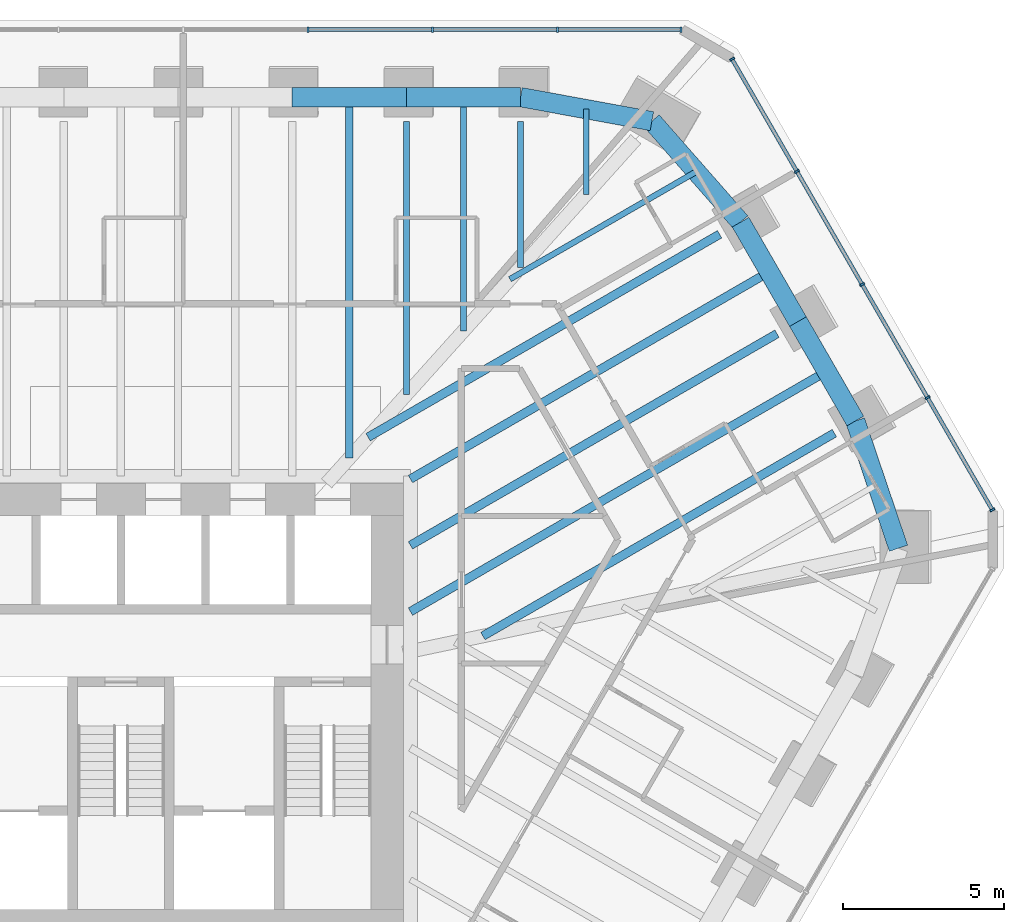
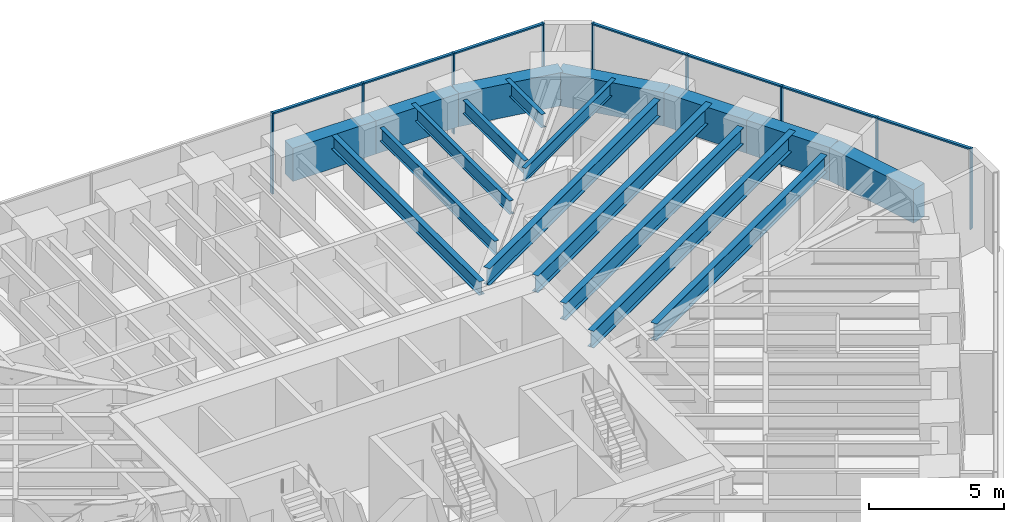
# One storey, part 9 of 16: 18 beams, 16 members, 2 elements without a shape of their own.
"""IFC4 building model written with IfcOpenShell, lengths in metres."""

from ifc_helpers import new_model, si_unit, direction, frame, origin, origin_2d, place, context, subcontext, project, spatial, rectangle, i_section, extrude, material, material_profile, profile_set, type_object, element, aggregate, save


model = new_model("IFC4")

# Units and contexts
model_context = context("Model", 3, precision=1e-05, world=origin(), true_north=direction((0.0, 1.0)))
body_context = subcontext(model_context, "Body", "Model", "MODEL_VIEW")
ifc_project = project(units=[si_unit("LENGTHUNIT", "METRE"), si_unit("AREAUNIT", "SQUARE_METRE"), si_unit("VOLUMEUNIT", "CUBIC_METRE"), si_unit("PLANEANGLEUNIT", "RADIAN"), si_unit("MASSUNIT", "GRAM", prefix="KILO")], contexts=[model_context])

# Site, building, storey
site_placement = place(None, origin())
site = spatial("IfcSite", under=ifc_project, at=site_placement, CompositionType="ELEMENT")
building_placement = place(site_placement, origin())
building = spatial("IfcBuilding", under=site, at=building_placement, Name="Sandreach Pilgrim Tower", CompositionType="ELEMENT")
storey_placement = place(building_placement, frame((0.0, 0.0, 244.0)))
storey = spatial("IfcBuildingStorey", under=building, at=storey_placement, Name="L61", CompositionType="ELEMENT", Elevation=244.0)

# Curtain wall, members
ifc_material_1 = material(Name="Aluminium framed curtain wall", Category="aluminium")
curtain_wall_type = type_object("IfcCurtainWallType", Name="Upper hotel tower curtain wall", PredefinedType="NOTDEFINED", material=ifc_material_1)
curtain_wall_1_placement = place(storey_placement, origin())
curtain_wall_1 = element("IfcCurtainWall", 1, at=curtain_wall_1_placement, inside=storey, type_object=curtain_wall_type, Name="CW-3 L61 N", PredefinedType="NOTDEFINED")
ifc_material_2 = material(Name="Aluminium extrusion", Category="aluminium")
ifc_material_profile_1 = material_profile(ifc_material_2, rectangle(XDim=0.06494140625, YDim=0.159912109375, at=origin_2d()), Name="CW-3M 65X160")
ifc_profile_set_1 = profile_set([ifc_material_profile_1], Name="Aluminium extrusion")
member_type_1 = type_object("IfcMemberType", Name="CW-3 mullion", PredefinedType="MULLION", material=ifc_profile_set_1)
member_1_placement = place(storey_placement, frame((5.796630859375, 21.16015625, 0.0), z_axis=(0.0, 0.0, 1.0), x_axis=(1.0, 0.0, 0.0)))
member_1 = element("IfcMember", 2, at=member_1_placement, type_object=member_type_1, Name="CW-3 mullion 7", PredefinedType="MULLION", context=body_context, shape_type="SweptSolid", body=[
    extrude(rectangle(XDim=0.06494140625, YDim=0.159912109375, at=origin_2d()), origin(), (0.0, 0.0, 1.0), 3.639892578125),
])
member_2_placement = place(storey_placement, frame((9.6611328125, 21.16015625, 0.0), z_axis=(0.0, 0.0, 1.0), x_axis=(1.0, 0.0, 0.0)))
member_2 = element("IfcMember", 3, at=member_2_placement, type_object=member_type_1, Name="CW-3 mullion 8", PredefinedType="MULLION", context=body_context, shape_type="SweptSolid", body=[
    extrude(rectangle(XDim=0.06494140625, YDim=0.159912109375, at=origin_2d()), origin(), (0.0, 0.0, 1.0), 3.639892578125),
])
member_3_placement = place(storey_placement, frame((13.525390625, 21.16015625, 0.0), z_axis=(0.0, 0.0, 1.0), x_axis=(1.0, 0.0, 0.0)))
member_3 = element("IfcMember", 4, at=member_3_placement, type_object=member_type_1, Name="CW-3 mullion 9", PredefinedType="MULLION", context=body_context, shape_type="SweptSolid", body=[
    extrude(rectangle(XDim=0.06494140625, YDim=0.159912109375, at=origin_2d()), origin(), (0.0, 0.0, 1.0), 3.639892578125),
])
member_4_placement = place(storey_placement, frame((17.357421875, 21.16015625, 0.0), z_axis=(0.0, 0.0, 1.0), x_axis=(1.0, 0.0, 0.0)))
member_4 = element("IfcMember", 5, at=member_4_placement, type_object=member_type_1, Name="CW-3 mullion 10", PredefinedType="MULLION", context=body_context, shape_type="SweptSolid", body=[
    extrude(rectangle(XDim=0.06494140625, YDim=0.159912109375, at=origin_2d()), origin(), (0.0, 0.0, 1.0), 3.639892578125),
])

curtain_wall_2_placement = place(storey_placement, origin())
curtain_wall_2 = element("IfcCurtainWall", 6, at=curtain_wall_2_placement, inside=storey, type_object=curtain_wall_type, Name="CW-3 L61 NE", PredefinedType="NOTDEFINED")
member_5_placement = place(storey_placement, frame((18.93896484375, 20.2470703125, 0.0), z_axis=(0.0, 0.0, 1.0), x_axis=(0.5, -0.866025403784, 0.0)))
member_5 = element("IfcMember", 7, at=member_5_placement, type_object=member_type_1, Name="CW-3 mullion 1", PredefinedType="MULLION", context=body_context, shape_type="SweptSolid", body=[
    extrude(rectangle(XDim=0.06494140625, YDim=0.159912109375, at=origin_2d()), origin(), (0.0, 0.0, 1.0), 3.639892578125),
])
member_6_placement = place(storey_placement, frame((20.947021484375, 16.768798828125, 0.0), z_axis=(0.0, 0.0, 1.0), x_axis=(0.5, -0.866025403784, 0.0)))
member_6 = element("IfcMember", 8, at=member_6_placement, type_object=member_type_1, Name="CW-3 mullion 2", PredefinedType="MULLION", context=body_context, shape_type="SweptSolid", body=[
    extrude(rectangle(XDim=0.06494140625, YDim=0.159912109375, at=origin_2d()), origin(), (0.0, 0.0, 1.0), 3.639892578125),
])
member_7_placement = place(storey_placement, frame((22.971435546875, 13.262451171875, 0.0), z_axis=(0.0, 0.0, 1.0), x_axis=(0.5, -0.866025403784, 0.0)))
member_7 = element("IfcMember", 9, at=member_7_placement, type_object=member_type_1, Name="CW-3 mullion 3", PredefinedType="MULLION", context=body_context, shape_type="SweptSolid", body=[
    extrude(rectangle(XDim=0.06494140625, YDim=0.159912109375, at=origin_2d()), origin(), (0.0, 0.0, 1.0), 3.639892578125),
])
member_8_placement = place(storey_placement, frame((24.995849609375, 9.75634765625, 0.0), z_axis=(0.0, 0.0, 1.0), x_axis=(0.5, -0.866025403784, 0.0)))
member_8 = element("IfcMember", 10, at=member_8_placement, type_object=member_type_1, Name="CW-3 mullion 4", PredefinedType="MULLION", context=body_context, shape_type="SweptSolid", body=[
    extrude(rectangle(XDim=0.06494140625, YDim=0.159912109375, at=origin_2d()), origin(), (0.0, 0.0, 1.0), 3.639892578125),
])
member_9_placement = place(storey_placement, frame((27.00390625, 6.278076171875, 0.0), z_axis=(0.0, 0.0, 1.0), x_axis=(0.5, -0.866025403784, 0.0)))
member_9 = element("IfcMember", 11, at=member_9_placement, type_object=member_type_1, Name="CW-3 mullion 5", PredefinedType="MULLION", context=body_context, shape_type="SweptSolid", body=[
    extrude(rectangle(XDim=0.06494140625, YDim=0.159912109375, at=origin_2d()), origin(), (0.0, 0.0, 1.0), 3.639892578125),
])

# Member
ifc_material_3 = material(Name="Aluminium extrusion", Category="aluminium")
ifc_material_profile_2 = material_profile(ifc_material_3, rectangle(XDim=0.1201171875, YDim=0.070068359375, at=origin_2d()), Name="CW-3T 120X70")
ifc_profile_set_2 = profile_set([ifc_material_profile_2], Name="Aluminium extrusion")
member_type_2 = type_object("IfcMemberType", Name="CW-3 transom", PredefinedType="USERDEFINED", material=ifc_profile_set_2)
member_10_placement = place(storey_placement, frame((5.8291015625, 21.16015625, 3.60498046875), z_axis=(1.0, 0.0, 0.0), x_axis=(0.0, 1.0, 0.0)))
member_10 = element("IfcMember", 12, at=member_10_placement, type_object=member_type_2, Name="CW-3 head transom 7", ObjectType="TRANSOM", PredefinedType="USERDEFINED", context=body_context, shape_type="SweptSolid", body=[
    extrude(rectangle(XDim=0.1201171875, YDim=0.070068359375, at=origin_2d()), origin(), (0.0, 0.0, 1.0), 3.799560546875),
])

member_11_placement = place(storey_placement, frame((9.693603515625, 21.16015625, 3.60498046875), z_axis=(1.0, 0.0, 0.0), x_axis=(0.0, 1.0, 0.0)))
member_11 = element("IfcMember", 13, at=member_11_placement, type_object=member_type_2, Name="CW-3 head transom 8", ObjectType="TRANSOM", PredefinedType="USERDEFINED", context=body_context, shape_type="SweptSolid", body=[
    extrude(rectangle(XDim=0.1201171875, YDim=0.070068359375, at=origin_2d()), origin(), (0.0, 0.0, 1.0), 3.79931640625),
])

member_12_placement = place(storey_placement, frame((13.557861328125, 21.16015625, 3.60498046875), z_axis=(1.0, 0.0, 0.0), x_axis=(0.0, 1.0, 0.0)))
member_12 = element("IfcMember", 14, at=member_12_placement, type_object=member_type_2, Name="CW-3 head transom 9", ObjectType="TRANSOM", PredefinedType="USERDEFINED", context=body_context, shape_type="SweptSolid", body=[
    extrude(rectangle(XDim=0.1201171875, YDim=0.070068359375, at=origin_2d()), origin(), (0.0, 0.0, 1.0), 3.76708984375),
])

aggregate(curtain_wall_1, [member_1, member_2, member_3, member_4, member_10, member_11, member_12])

member_13_placement = place(storey_placement, frame((18.955322265625, 20.21875, 3.60498046875), z_axis=(0.499993448556, -0.866029186229, 0.0), x_axis=(0.866029186229, 0.499993448556, 0.0)))
member_13 = element("IfcMember", 15, at=member_13_placement, type_object=member_type_2, Name="CW-3 head transom 1", ObjectType="TRANSOM", PredefinedType="USERDEFINED", context=body_context, shape_type="SweptSolid", body=[
    extrude(rectangle(XDim=0.1201171875, YDim=0.070068359375, at=origin_2d()), origin(), (0.0, 0.0, 1.0), 3.951171875),
])

member_14_placement = place(storey_placement, frame((20.96337890625, 16.74072265625, 3.60498046875), z_axis=(0.499975332564, -0.866039645067, 0.0), x_axis=(0.866039645067, 0.499975332564, 0.0)))
member_14 = element("IfcMember", 16, at=member_14_placement, type_object=member_type_2, Name="CW-3 head transom 2", ObjectType="TRANSOM", PredefinedType="USERDEFINED", context=body_context, shape_type="SweptSolid", body=[
    extrude(rectangle(XDim=0.1201171875, YDim=0.070068359375, at=origin_2d()), origin(), (0.0, 0.0, 1.0), 3.983642578125),
])

member_15_placement = place(storey_placement, frame((22.98779296875, 13.234375, 3.60498046875), z_axis=(0.499975332564, -0.866039645067, 0.0), x_axis=(0.866039645067, 0.499975332564, 0.0)))
member_15 = element("IfcMember", 17, at=member_15_placement, type_object=member_type_2, Name="CW-3 head transom 3", ObjectType="TRANSOM", PredefinedType="USERDEFINED", context=body_context, shape_type="SweptSolid", body=[
    extrude(rectangle(XDim=0.1201171875, YDim=0.070068359375, at=origin_2d()), origin(), (0.0, 0.0, 1.0), 3.983642578125),
])

member_16_placement = place(storey_placement, frame((25.011962890625, 9.728271484375, 3.60498046875), z_axis=(0.499993448556, -0.866029186229, 0.0), x_axis=(0.866029186229, 0.499993448556, 0.0)))
member_16 = element("IfcMember", 18, at=member_16_placement, type_object=member_type_2, Name="CW-3 head transom 4", ObjectType="TRANSOM", PredefinedType="USERDEFINED", context=body_context, shape_type="SweptSolid", body=[
    extrude(rectangle(XDim=0.1201171875, YDim=0.070068359375, at=origin_2d()), origin(), (0.0, 0.0, 1.0), 3.951171875),
])

aggregate(curtain_wall_2, [member_5, member_6, member_7, member_8, member_9, member_13, member_14, member_15, member_16])

# Beams
ifc_material_4 = material(Name="Steel ASTM A992 Grade 50", Category="steel")
ifc_material_profile_3 = material_profile(ifc_material_4, i_section(OverallWidth=0.1787109375, OverallDepth=0.60205078125, WebThickness=0.010986328125, FlangeThickness=0.014892578125, at=origin_2d()), Name="W24X62")
ifc_profile_set_3 = profile_set([ifc_material_profile_3], Name="Steel ASTM A992 Grade 50")
beam_type_1 = type_object("IfcBeamType", Name="Floor beam W24X62", PredefinedType="BEAM", material=ifc_profile_set_3)
beam_1_placement = place(storey_placement, frame((8.845947265625, 18.3193359375, 3.339111328125), z_axis=(0.0, -1.0, 0.0), x_axis=(1.0, 0.0, 0.0)))
element("IfcBeam", 19, at=beam_1_placement, inside=storey, type_object=beam_type_1, Name="BM L61 F07", PredefinedType="BEAM", context=body_context, shape_type="SweptSolid", body=[
    extrude(i_section(OverallWidth=0.1787109375, OverallDepth=0.60205078125, WebThickness=0.010986328125, FlangeThickness=0.014892578125, at=origin_2d()), origin(), (0.0, 0.0, 1.0), 8.468017578125),
])
beam_2_placement = place(storey_placement, frame((12.38427734375, 18.3193359375, 3.339111328125), z_axis=(0.0, -1.0, 0.0), x_axis=(1.0, 0.0, 0.0)))
element("IfcBeam", 20, at=beam_2_placement, inside=storey, type_object=beam_type_1, Name="BM L61 F08", PredefinedType="BEAM", context=body_context, shape_type="SweptSolid", body=[
    extrude(i_section(OverallWidth=0.1787109375, OverallDepth=0.60205078125, WebThickness=0.010986328125, FlangeThickness=0.014892578125, at=origin_2d()), origin(), (0.0, 0.0, 1.0), 4.527587890625),
])
beam_3_placement = place(storey_placement, frame((10.614990234375, 19.0693359375, 3.339111328125), z_axis=(0.0, -1.0, 0.0), x_axis=(1.0, 0.0, 0.0)))
element("IfcBeam", 21, at=beam_3_placement, inside=storey, type_object=beam_type_1, Name="BM L61 FM07", PredefinedType="BEAM", context=body_context, shape_type="SweptSolid", body=[
    extrude(i_section(OverallWidth=0.1787109375, OverallDepth=0.60205078125, WebThickness=0.010986328125, FlangeThickness=0.014892578125, at=origin_2d()), origin(), (0.0, 0.0, 1.0), 7.247802734375),
])
beam_4_placement = place(storey_placement, frame((14.41943359375, 18.697021484375, 3.339111328125), z_axis=(0.0, -1.0, 0.0), x_axis=(1.0, 0.0, 0.0)))
element("IfcBeam", 22, at=beam_4_placement, inside=storey, type_object=beam_type_1, Name="BM L61 FM08", PredefinedType="BEAM", context=body_context, shape_type="SweptSolid", body=[
    extrude(i_section(OverallWidth=0.1787109375, OverallDepth=0.60205078125, WebThickness=0.010986328125, FlangeThickness=0.014892578125, at=origin_2d()), origin(), (0.0, 0.0, 1.0), 2.638671875),
])
beam_5_placement = place(storey_placement, frame((17.828369140625, 16.759765625, 3.339111328125), z_axis=(-0.866031839316, -0.499988853166, 0.0), x_axis=(0.499988853166, -0.866031839316, 0.0)))
element("IfcBeam", 23, at=beam_5_placement, inside=storey, type_object=beam_type_1, Name="BM L61 FM09", PredefinedType="BEAM", context=body_context, shape_type="SweptSolid", body=[
    extrude(i_section(OverallWidth=0.1787109375, OverallDepth=0.60205078125, WebThickness=0.010986328125, FlangeThickness=0.014892578125, at=origin_2d()), origin(), (0.0, 0.0, 1.0), 6.663818359375),
])
ifc_material_5 = material(Name="Steel ASTM A992 Grade 50", Category="steel")
ifc_material_profile_4 = material_profile(ifc_material_5, i_section(OverallWidth=0.23046875, OverallDepth=0.6171875, WebThickness=0.01318359375, FlangeThickness=0.022216796875, at=origin_2d()), Name="W24X94")
ifc_profile_set_4 = profile_set([ifc_material_profile_4], Name="Steel ASTM A992 Grade 50")
beam_type_2 = type_object("IfcBeamType", Name="Floor beam W24X94", PredefinedType="BEAM", material=ifc_profile_set_4)
beam_6_placement = place(storey_placement, frame((7.07666015625, 19.0693359375, 3.331298828125), z_axis=(0.0, -1.0, 0.0), x_axis=(1.0, 0.0, 0.0)))
element("IfcBeam", 24, at=beam_6_placement, inside=storey, type_object=beam_type_2, Name="BM L61 FM06", PredefinedType="BEAM", context=body_context, shape_type="SweptSolid", body=[
    extrude(i_section(OverallWidth=0.23046875, OverallDepth=0.6171875, WebThickness=0.01318359375, FlangeThickness=0.022216796875, at=origin_2d()), origin(), (0.0, 0.0, 1.0), 11.188232421875),
])
ifc_material_6 = material(Name="Steel ASTM A992 Grade 50", Category="steel")
ifc_material_profile_5 = material_profile(ifc_material_6, i_section(OverallWidth=0.2666015625, OverallDepth=0.761962890625, WebThickness=0.014404296875, FlangeThickness=0.021484375, at=origin_2d()), Name="W30X116")
ifc_profile_set_5 = profile_set([ifc_material_profile_5], Name="Steel ASTM A992 Grade 50")
beam_type_3 = type_object("IfcBeamType", Name="Floor beam W30X116", PredefinedType="BEAM", material=ifc_profile_set_5)
beam_7_placement = place(storey_placement, frame((18.552490234375, 14.819580078125, 3.259033203125), z_axis=(-0.866024604508, -0.500001384384, 0.0), x_axis=(0.500001384384, -0.866024604508, 0.0)))
element("IfcBeam", 25, at=beam_7_placement, inside=storey, type_object=beam_type_3, Name="BM L61 F10", PredefinedType="BEAM", context=body_context, shape_type="SweptSolid", body=[
    extrude(i_section(OverallWidth=0.2666015625, OverallDepth=0.761962890625, WebThickness=0.014404296875, FlangeThickness=0.021484375, at=origin_2d()), origin(), (0.0, 0.0, 1.0), 12.5771484375),
])
beam_8_placement = place(storey_placement, frame((20.331298828125, 11.73828125, 3.259033203125), z_axis=(-0.866020374227, -0.500008711348, 0.0), x_axis=(0.500008711348, -0.866020374227, 0.0)))
element("IfcBeam", 26, at=beam_8_placement, inside=storey, type_object=beam_type_3, Name="BM L61 F11", PredefinedType="BEAM", context=body_context, shape_type="SweptSolid", body=[
    extrude(i_section(OverallWidth=0.2666015625, OverallDepth=0.761962890625, WebThickness=0.014404296875, FlangeThickness=0.021484375, at=origin_2d()), origin(), (0.0, 0.0, 1.0), 13.116455078125),
])
beam_9_placement = place(storey_placement, frame((22.1103515625, 8.656982421875, 3.259033203125), z_axis=(-0.866024604508, -0.500001384384, 0.0), x_axis=(0.500001384384, -0.866024604508, 0.0)))
element("IfcBeam", 27, at=beam_9_placement, inside=storey, type_object=beam_type_3, Name="BM L61 F12", PredefinedType="BEAM", context=body_context, shape_type="SweptSolid", body=[
    extrude(i_section(OverallWidth=0.2666015625, OverallDepth=0.761962890625, WebThickness=0.014404296875, FlangeThickness=0.021484375, at=origin_2d()), origin(), (0.0, 0.0, 1.0), 12.5771484375),
])
beam_10_placement = place(storey_placement, frame((20.09130859375, 13.65380859375, 3.259033203125), z_axis=(-0.86602409181, -0.500002272399, 0.0), x_axis=(0.500002272399, -0.86602409181, 0.0)))
element("IfcBeam", 28, at=beam_10_placement, inside=storey, type_object=beam_type_3, Name="BM L61 FM10", PredefinedType="BEAM", context=body_context, shape_type="SweptSolid", body=[
    extrude(i_section(OverallWidth=0.2666015625, OverallDepth=0.761962890625, WebThickness=0.014404296875, FlangeThickness=0.021484375, at=origin_2d()), origin(), (0.0, 0.0, 1.0), 12.83935546875),
])
beam_11_placement = place(storey_placement, frame((21.870361328125, 10.57275390625, 3.259033203125), z_axis=(-0.866025347508, -0.500000097474, 0.0), x_axis=(0.500000097474, -0.866025347508, 0.0)))
element("IfcBeam", 29, at=beam_11_placement, inside=storey, type_object=beam_type_3, Name="BM L61 FM11", PredefinedType="BEAM", context=body_context, shape_type="SweptSolid", body=[
    extrude(i_section(OverallWidth=0.2666015625, OverallDepth=0.761962890625, WebThickness=0.014404296875, FlangeThickness=0.021484375, at=origin_2d()), origin(), (0.0, 0.0, 1.0), 14.8935546875),
])
ifc_material_7 = material(Name="Concrete 10000 psi", Category="concrete")
ifc_material_profile_6 = material_profile(ifc_material_7, rectangle(XDim=0.60009765625, YDim=1.5, at=origin_2d()), Name="RC600X1500")
ifc_profile_set_6 = profile_set([ifc_material_profile_6], Name="Concrete 10000 psi")
beam_type_4 = type_object("IfcBeamType", Name="Spandrel beam RC600X1500", PredefinedType="SPANDREL", material=ifc_profile_set_6)
for number, where, z_axis, x_axis, name in (
    (30, (5.3076171875, 19.0693359375, 2.889892578125), (1.0, 0.0, 0.0), (0.0, 1.0, 0.0), "BM L61 SP06"),
    (31, (8.845947265625, 19.0693359375, 2.889892578125), (1.0, 0.0, 0.0), (0.0, 1.0, 0.0), "BM L61 SP07"),
):
    element("IfcBeam", number, at=place(storey_placement, frame(where, z_axis=z_axis, x_axis=x_axis)), inside=storey, type_object=beam_type_4, Name=name, PredefinedType="SPANDREL", context=body_context, shape_type="SweptSolid", body=[
        extrude(rectangle(XDim=0.60009765625, YDim=1.5, at=origin_2d()), origin(), (0.0, 0.0, 1.0), 3.538330078125),
    ])
beam_12_placement = place(storey_placement, frame((12.38427734375, 19.0693359375, 2.889892578125), z_axis=(0.98368530216, -0.179897821874, 0.0), x_axis=(0.179897821874, 0.98368530216, 0.0)))
element("IfcBeam", 32, at=beam_12_placement, inside=storey, type_object=beam_type_4, Name="BM L61 SP08", PredefinedType="SPANDREL", context=body_context, shape_type="SweptSolid", body=[
    extrude(rectangle(XDim=0.60009765625, YDim=1.5, at=origin_2d()), origin(), (0.0, 0.0, 1.0), 4.137939453125),
])
beam_13_placement = place(storey_placement, frame((16.45458984375, 18.324951171875, 2.889892578125), z_axis=(0.65962435689, -0.751595441575, 0.0), x_axis=(0.751595441575, 0.65962435689, 0.0)))
element("IfcBeam", 33, at=beam_13_placement, inside=storey, type_object=beam_type_4, Name="BM L61 SP09", PredefinedType="SPANDREL", context=body_context, shape_type="SweptSolid", body=[
    extrude(rectangle(XDim=0.60009765625, YDim=1.5, at=origin_2d()), origin(), (0.0, 0.0, 1.0), 4.1650390625),
])
beam_14_placement = place(storey_placement, frame((19.201904296875, 15.194580078125, 2.889892578125), z_axis=(0.500013496215, -0.866017611601, 0.0), x_axis=(0.866017611601, 0.500013496215, 0.0)))
element("IfcBeam", 34, at=beam_14_placement, inside=storey, type_object=beam_type_4, Name="BM L61 SP10", PredefinedType="SPANDREL", context=body_context, shape_type="SweptSolid", body=[
    extrude(rectangle(XDim=0.60009765625, YDim=1.5, at=origin_2d()), origin(), (0.0, 0.0, 1.0), 3.55810546875),
])
beam_15_placement = place(storey_placement, frame((20.98095703125, 12.11328125, 2.889892578125), z_axis=(0.499962031597, -0.866047323742, 0.0), x_axis=(0.866047323742, 0.499962031597, 0.0)))
element("IfcBeam", 35, at=beam_15_placement, inside=storey, type_object=beam_type_4, Name="BM L61 SP11", PredefinedType="SPANDREL", context=body_context, shape_type="SweptSolid", body=[
    extrude(rectangle(XDim=0.60009765625, YDim=1.5, at=origin_2d()), origin(), (0.0, 0.0, 1.0), 3.557861328125),
])
beam_16_placement = place(storey_placement, frame((22.759765625, 9.031982421875, 2.889892578125), z_axis=(0.321112353248, -0.947041106073, 0.0), x_axis=(0.947041106073, 0.321112353248, 0.0)))
element("IfcBeam", 36, at=beam_16_placement, inside=storey, type_object=beam_type_4, Name="BM L61 SP12", PredefinedType="SPANDREL", context=body_context, shape_type="SweptSolid", body=[
    extrude(rectangle(XDim=0.60009765625, YDim=1.5, at=origin_2d()), origin(), (0.0, 0.0, 1.0), 4.164794921875),
])

save(model, "model.ifc")
